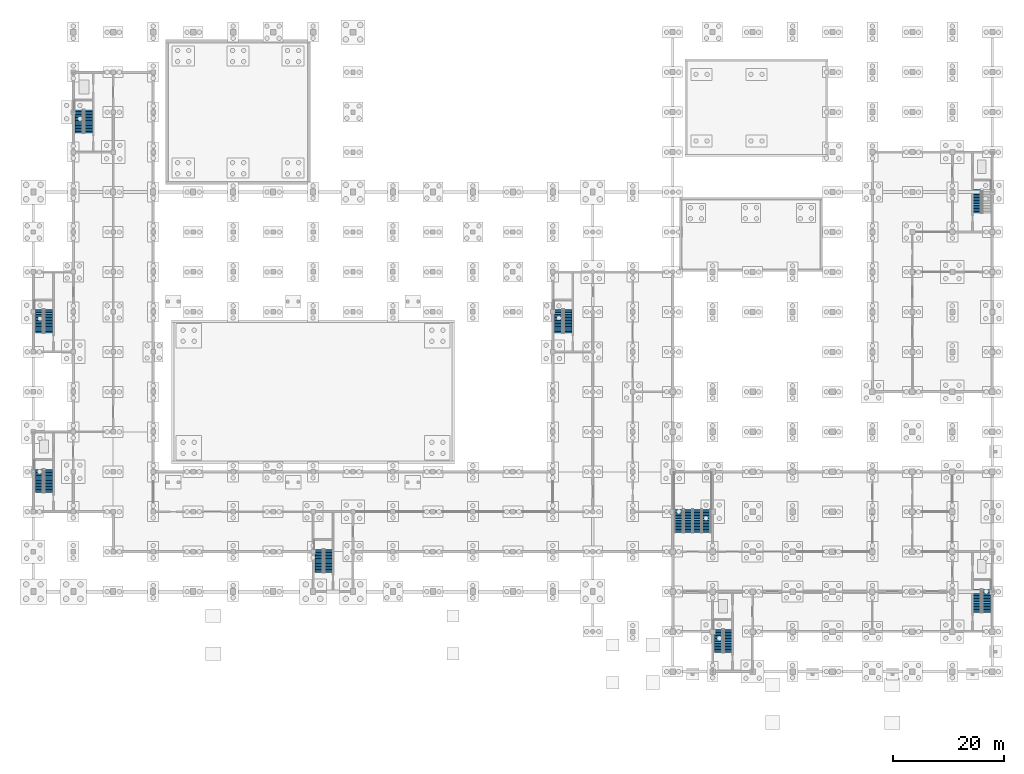
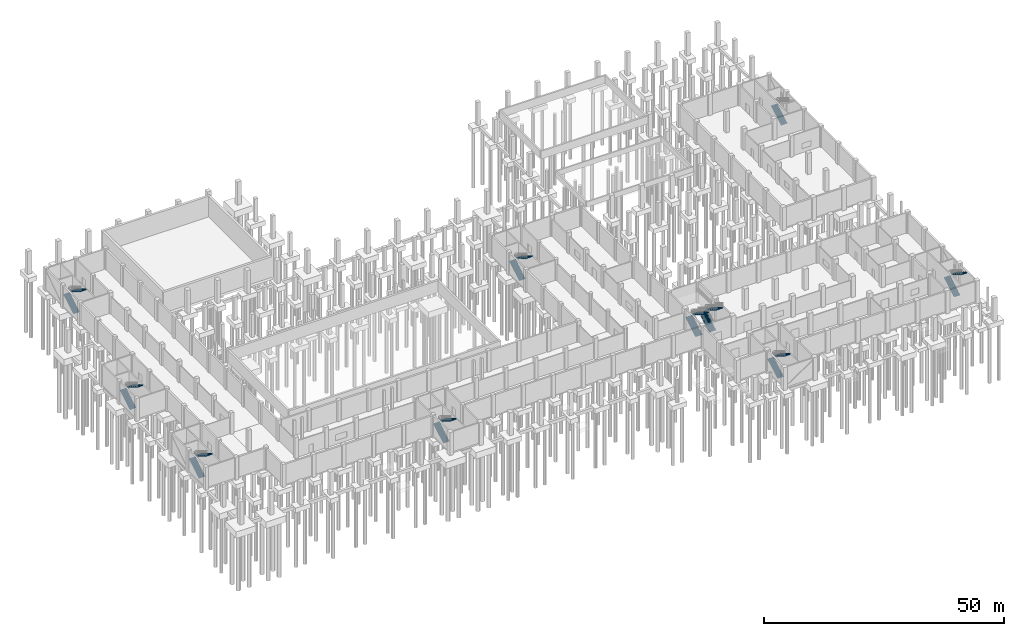
# One storey, part 27 of 35: 19 stair flights, 10 elements without a shape of their own.
"""IFC4 building model written with IfcOpenShell, lengths in metres."""

from ifc_helpers import new_model, si_unit, direction, frame, origin, place, context, subcontext, project, spatial, polyline, outline, extrude, material, type_object, element, aggregate, save


model = new_model("IFC4")

# Units and contexts
model_context = context("Model", 3, precision=1e-05, world=origin(), true_north=direction((0.0, 1.0)))
body_context = subcontext(model_context, "Body", "Model", "MODEL_VIEW")
ifc_project = project(units=[si_unit("LENGTHUNIT", "METRE"), si_unit("AREAUNIT", "SQUARE_METRE"), si_unit("VOLUMEUNIT", "CUBIC_METRE"), si_unit("PLANEANGLEUNIT", "RADIAN"), si_unit("MASSUNIT", "GRAM", prefix="KILO")], contexts=[model_context])

# Site, building, storey
site_placement = place(None, origin())
site = spatial("IfcSite", under=ifc_project, at=site_placement, CompositionType="ELEMENT")
building_placement = place(site_placement, origin())
building = spatial("IfcBuilding", under=site, at=building_placement, Name="Vesperath Aquatics Centre", CompositionType="ELEMENT")
storey_placement = place(building_placement, frame((0.0, 0.0, -5.39990234375)))
storey = spatial("IfcBuildingStorey", under=building, at=storey_placement, Name="B1", CompositionType="ELEMENT", Elevation=-5.39990234375)

# Stair, stair flights
ifc_material = material(Name="Concrete C35", Category="concrete")
stair_type_1 = type_object("IfcStairType", Name="ST-HT54", PredefinedType="HALF_TURN_STAIR", material=ifc_material)
stair_1_placement = place(storey_placement, origin())
stair_1 = element("IfcStair", 1, at=stair_1_placement, inside=storey, type_object=stair_type_1, Name="Enclosed Exit Stair ST1 B1", PredefinedType="HALF_TURN_STAIR")
stair_flight_type_1 = type_object("IfcStairFlightType", Name="SF-F54", PredefinedType="STRAIGHT", material=ifc_material)
stair_flight_1_placement = place(storey_placement, frame((1.070068359375, 32.219970703125, 0.0), z_axis=(0.0, 0.0, 1.0), x_axis=(0.0, 1.0, 0.0)))
stair_flight_1 = element("IfcStairFlight", 2, at=stair_flight_1_placement, type_object=stair_flight_type_1, Name="Stair ST1 Flight 1 B1", NumberOfRisers=16, NumberOfTreads=15, PredefinedType="STRAIGHT", RiserHeight=0.16875, TreadLength=0.28, context=body_context, shape_type="SweptSolid", body=[
    extrude(outline(polyline([(0.0, 0.0), (0.0, 0.168701171875), (0.280029296875, 0.168701171875), (0.280029296875, 0.33740234375), (0.56005859375, 0.33740234375), (0.56005859375, 0.50634765625), (0.840087890625, 0.50634765625), (0.840087890625, 0.675048828125), (1.1201171875, 0.675048828125), (1.1201171875, 0.84375), (1.39990234375, 0.84375), (1.39990234375, 1.012451171875), (1.679931640625, 1.012451171875), (1.679931640625, 1.18115234375), (1.9599609375, 1.18115234375), (1.9599609375, 1.35009765625), (2.239990234375, 1.35009765625), (2.239990234375, 1.518798828125), (2.52001953125, 1.518798828125), (2.52001953125, 1.6875), (2.800048828125, 1.6875), (2.800048828125, 1.856201171875), (3.080078125, 1.856201171875), (3.080078125, 2.02490234375), (3.360107421875, 2.02490234375), (3.360107421875, 2.19384765625), (3.639892578125, 2.19384765625), (3.639892578125, 2.362548828125), (3.919921875, 2.362548828125), (3.919921875, 2.53125), (4.199951171875, 2.53125), (4.199951171875, 2.699951171875), (4.199951171875, 2.3212890625), (0.3486328125, 0.0), (0.0, 0.0)])), frame((0.0, 0.719970703125, 0.0), z_axis=(0.0, -1.0, 0.0), x_axis=(1.0, 0.0, 0.0)), (0.0, 0.0, 1.0), 1.43994140625),
])
stair_flight_2_placement = place(storey_placement, frame((2.75, 36.419921875, 2.699951171875), z_axis=(0.0, 0.0, 1.0), x_axis=(0.0, -1.0, 0.0)))
stair_flight_2 = element("IfcStairFlight", 3, at=stair_flight_2_placement, type_object=stair_flight_type_1, Name="Stair ST1 Flight 2 B1", NumberOfRisers=16, NumberOfTreads=15, PredefinedType="STRAIGHT", RiserHeight=0.16875, TreadLength=0.28, context=body_context, shape_type="SweptSolid", body=[
    extrude(outline(polyline([(0.0, 0.0), (0.0, 0.168701171875), (0.280029296875, 0.168701171875), (0.280029296875, 0.33740234375), (0.56005859375, 0.33740234375), (0.56005859375, 0.50634765625), (0.840087890625, 0.50634765625), (0.840087890625, 0.675048828125), (1.1201171875, 0.675048828125), (1.1201171875, 0.84375), (1.39990234375, 0.84375), (1.39990234375, 1.012451171875), (1.679931640625, 1.012451171875), (1.679931640625, 1.18115234375), (1.9599609375, 1.18115234375), (1.9599609375, 1.35009765625), (2.239990234375, 1.35009765625), (2.239990234375, 1.518798828125), (2.52001953125, 1.518798828125), (2.52001953125, 1.6875), (2.800048828125, 1.6875), (2.800048828125, 1.856201171875), (3.080078125, 1.856201171875), (3.080078125, 2.02490234375), (3.360107421875, 2.02490234375), (3.360107421875, 2.19384765625), (3.639892578125, 2.19384765625), (3.639892578125, 2.362548828125), (3.919921875, 2.362548828125), (3.919921875, 2.53125), (4.199951171875, 2.53125), (4.199951171875, 2.699951171875), (4.199951171875, 2.3212890625), (0.3486328125, 0.0), (0.0, 0.0)])), frame((0.0, 0.719970703125, 0.0), z_axis=(0.0, -1.0, 0.0), x_axis=(1.0, 0.0, 0.0)), (0.0, 0.0, 1.0), 1.43994140625),
])
aggregate(stair_1, [stair_flight_1, stair_flight_2])

stair_2_placement = place(storey_placement, origin())
stair_2 = element("IfcStair", 4, at=stair_2_placement, inside=storey, type_object=stair_type_1, Name="Enclosed Exit Stair ST2 B1", PredefinedType="HALF_TURN_STAIR")
stair_flight_3_placement = place(storey_placement, frame((1.070068359375, 61.02001953125, 0.0), z_axis=(0.0, 0.0, 1.0), x_axis=(0.0, 1.0, 0.0)))
stair_flight_3 = element("IfcStairFlight", 5, at=stair_flight_3_placement, type_object=stair_flight_type_1, Name="Stair ST2 Flight 1 B1", NumberOfRisers=16, NumberOfTreads=15, PredefinedType="STRAIGHT", RiserHeight=0.16875, TreadLength=0.28, context=body_context, shape_type="SweptSolid", body=[
    extrude(outline(polyline([(0.0, 0.0), (0.0, 0.168701171875), (0.280029296875, 0.168701171875), (0.280029296875, 0.33740234375), (0.56005859375, 0.33740234375), (0.56005859375, 0.50634765625), (0.840087890625, 0.50634765625), (0.840087890625, 0.675048828125), (1.1201171875, 0.675048828125), (1.1201171875, 0.84375), (1.39990234375, 0.84375), (1.39990234375, 1.012451171875), (1.679931640625, 1.012451171875), (1.679931640625, 1.18115234375), (1.9599609375, 1.18115234375), (1.9599609375, 1.35009765625), (2.239990234375, 1.35009765625), (2.239990234375, 1.518798828125), (2.52001953125, 1.518798828125), (2.52001953125, 1.6875), (2.800048828125, 1.6875), (2.800048828125, 1.856201171875), (3.080078125, 1.856201171875), (3.080078125, 2.02490234375), (3.360107421875, 2.02490234375), (3.360107421875, 2.19384765625), (3.639892578125, 2.19384765625), (3.639892578125, 2.362548828125), (3.919921875, 2.362548828125), (3.919921875, 2.53125), (4.199951171875, 2.53125), (4.199951171875, 2.699951171875), (4.199951171875, 2.3212890625), (0.3486328125, 0.0), (0.0, 0.0)])), frame((0.0, 0.719970703125, 0.0), z_axis=(0.0, -1.0, 0.0), x_axis=(1.0, 0.0, 0.0)), (0.0, 0.0, 1.0), 1.43994140625),
])
stair_flight_4_placement = place(storey_placement, frame((2.75, 65.219970703125, 2.699951171875), z_axis=(0.0, 0.0, 1.0), x_axis=(0.0, -1.0, 0.0)))
stair_flight_4 = element("IfcStairFlight", 6, at=stair_flight_4_placement, type_object=stair_flight_type_1, Name="Stair ST2 Flight 2 B1", NumberOfRisers=16, NumberOfTreads=15, PredefinedType="STRAIGHT", RiserHeight=0.16875, TreadLength=0.28, context=body_context, shape_type="SweptSolid", body=[
    extrude(outline(polyline([(0.0, 0.0), (0.0, 0.168701171875), (0.280029296875, 0.168701171875), (0.280029296875, 0.33740234375), (0.56005859375, 0.33740234375), (0.56005859375, 0.50634765625), (0.840087890625, 0.50634765625), (0.840087890625, 0.675048828125), (1.1201171875, 0.675048828125), (1.1201171875, 0.84375), (1.39990234375, 0.84375), (1.39990234375, 1.012451171875), (1.679931640625, 1.012451171875), (1.679931640625, 1.18115234375), (1.9599609375, 1.18115234375), (1.9599609375, 1.35009765625), (2.239990234375, 1.35009765625), (2.239990234375, 1.518798828125), (2.52001953125, 1.518798828125), (2.52001953125, 1.6875), (2.800048828125, 1.6875), (2.800048828125, 1.856201171875), (3.080078125, 1.856201171875), (3.080078125, 2.02490234375), (3.360107421875, 2.02490234375), (3.360107421875, 2.19384765625), (3.639892578125, 2.19384765625), (3.639892578125, 2.362548828125), (3.919921875, 2.362548828125), (3.919921875, 2.53125), (4.199951171875, 2.53125), (4.199951171875, 2.699951171875), (4.199951171875, 2.3212890625), (0.3486328125, 0.0), (0.0, 0.0)])), frame((0.0, 0.719970703125, 0.0), z_axis=(0.0, -1.0, 0.0), x_axis=(1.0, 0.0, 0.0)), (0.0, 0.0, 1.0), 1.43994140625),
])
aggregate(stair_2, [stair_flight_3, stair_flight_4])

stair_3_placement = place(storey_placement, origin())
stair_3 = element("IfcStair", 7, at=stair_3_placement, inside=storey, type_object=stair_type_1, Name="Enclosed Exit Stair ST8 B1", PredefinedType="HALF_TURN_STAIR")
stair_flight_5_placement = place(storey_placement, frame((94.669921875, 61.02001953125, 0.0), z_axis=(0.0, 0.0, 1.0), x_axis=(0.0, 1.0, 0.0)))
stair_flight_5 = element("IfcStairFlight", 8, at=stair_flight_5_placement, type_object=stair_flight_type_1, Name="Stair ST8 Flight 1 B1", NumberOfRisers=16, NumberOfTreads=15, PredefinedType="STRAIGHT", RiserHeight=0.16875, TreadLength=0.28, context=body_context, shape_type="SweptSolid", body=[
    extrude(outline(polyline([(0.0, 0.0), (0.0, 0.168701171875), (0.280029296875, 0.168701171875), (0.280029296875, 0.33740234375), (0.56005859375, 0.33740234375), (0.56005859375, 0.50634765625), (0.840087890625, 0.50634765625), (0.840087890625, 0.675048828125), (1.1201171875, 0.675048828125), (1.1201171875, 0.84375), (1.39990234375, 0.84375), (1.39990234375, 1.012451171875), (1.679931640625, 1.012451171875), (1.679931640625, 1.18115234375), (1.9599609375, 1.18115234375), (1.9599609375, 1.35009765625), (2.239990234375, 1.35009765625), (2.239990234375, 1.518798828125), (2.52001953125, 1.518798828125), (2.52001953125, 1.6875), (2.800048828125, 1.6875), (2.800048828125, 1.856201171875), (3.080078125, 1.856201171875), (3.080078125, 2.02490234375), (3.360107421875, 2.02490234375), (3.360107421875, 2.19384765625), (3.639892578125, 2.19384765625), (3.639892578125, 2.362548828125), (3.919921875, 2.362548828125), (3.919921875, 2.53125), (4.199951171875, 2.53125), (4.199951171875, 2.699951171875), (4.199951171875, 2.3212890625), (0.3486328125, 0.0), (0.0, 0.0)])), frame((0.0, 0.719970703125, 0.0), z_axis=(0.0, -1.0, 0.0), x_axis=(1.0, 0.0, 0.0)), (0.0, 0.0, 1.0), 1.43994140625),
])
stair_flight_6_placement = place(storey_placement, frame((96.35009765625, 65.219970703125, 2.699951171875), z_axis=(0.0, 0.0, 1.0), x_axis=(0.0, -1.0, 0.0)))
stair_flight_6 = element("IfcStairFlight", 9, at=stair_flight_6_placement, type_object=stair_flight_type_1, Name="Stair ST8 Flight 2 B1", NumberOfRisers=16, NumberOfTreads=15, PredefinedType="STRAIGHT", RiserHeight=0.16875, TreadLength=0.28, context=body_context, shape_type="SweptSolid", body=[
    extrude(outline(polyline([(0.0, 0.0), (0.0, 0.168701171875), (0.280029296875, 0.168701171875), (0.280029296875, 0.33740234375), (0.56005859375, 0.33740234375), (0.56005859375, 0.50634765625), (0.840087890625, 0.50634765625), (0.840087890625, 0.675048828125), (1.1201171875, 0.675048828125), (1.1201171875, 0.84375), (1.39990234375, 0.84375), (1.39990234375, 1.012451171875), (1.679931640625, 1.012451171875), (1.679931640625, 1.18115234375), (1.9599609375, 1.18115234375), (1.9599609375, 1.35009765625), (2.239990234375, 1.35009765625), (2.239990234375, 1.518798828125), (2.52001953125, 1.518798828125), (2.52001953125, 1.6875), (2.800048828125, 1.6875), (2.800048828125, 1.856201171875), (3.080078125, 1.856201171875), (3.080078125, 2.02490234375), (3.360107421875, 2.02490234375), (3.360107421875, 2.19384765625), (3.639892578125, 2.19384765625), (3.639892578125, 2.362548828125), (3.919921875, 2.362548828125), (3.919921875, 2.53125), (4.199951171875, 2.53125), (4.199951171875, 2.699951171875), (4.199951171875, 2.3212890625), (0.3486328125, 0.0), (0.0, 0.0)])), frame((0.0, 0.719970703125, 0.0), z_axis=(0.0, -1.0, 0.0), x_axis=(1.0, 0.0, 0.0)), (0.0, 0.0, 1.0), 1.43994140625),
])
aggregate(stair_3, [stair_flight_5, stair_flight_6])

stair_4_placement = place(storey_placement, origin())
stair_4 = element("IfcStair", 10, at=stair_4_placement, inside=storey, type_object=stair_type_1, Name="Enclosed Exit Stair ST9 B1", PredefinedType="HALF_TURN_STAIR")
stair_flight_7_placement = place(storey_placement, frame((51.469970703125, 17.820068359375, 0.0), z_axis=(0.0, 0.0, 1.0), x_axis=(0.0, 1.0, 0.0)))
stair_flight_7 = element("IfcStairFlight", 11, at=stair_flight_7_placement, type_object=stair_flight_type_1, Name="Stair ST9 Flight 1 B1", NumberOfRisers=16, NumberOfTreads=15, PredefinedType="STRAIGHT", RiserHeight=0.16875, TreadLength=0.28, context=body_context, shape_type="SweptSolid", body=[
    extrude(outline(polyline([(0.0, 0.0), (0.0, 0.168701171875), (0.280029296875, 0.168701171875), (0.280029296875, 0.33740234375), (0.56005859375, 0.33740234375), (0.56005859375, 0.50634765625), (0.840087890625, 0.50634765625), (0.840087890625, 0.675048828125), (1.1201171875, 0.675048828125), (1.1201171875, 0.84375), (1.39990234375, 0.84375), (1.39990234375, 1.012451171875), (1.679931640625, 1.012451171875), (1.679931640625, 1.18115234375), (1.9599609375, 1.18115234375), (1.9599609375, 1.35009765625), (2.239990234375, 1.35009765625), (2.239990234375, 1.518798828125), (2.52001953125, 1.518798828125), (2.52001953125, 1.6875), (2.800048828125, 1.6875), (2.800048828125, 1.856201171875), (3.080078125, 1.856201171875), (3.080078125, 2.02490234375), (3.360107421875, 2.02490234375), (3.360107421875, 2.19384765625), (3.639892578125, 2.19384765625), (3.639892578125, 2.362548828125), (3.919921875, 2.362548828125), (3.919921875, 2.53125), (4.199951171875, 2.53125), (4.199951171875, 2.699951171875), (4.199951171875, 2.3212890625), (0.3486328125, 0.0), (0.0, 0.0)])), frame((0.0, 0.719970703125, 0.0), z_axis=(0.0, -1.0, 0.0), x_axis=(1.0, 0.0, 0.0)), (0.0, 0.0, 1.0), 1.43994140625),
])
stair_flight_8_placement = place(storey_placement, frame((53.14990234375, 22.02001953125, 2.699951171875), z_axis=(0.0, 0.0, 1.0), x_axis=(0.0, -1.0, 0.0)))
stair_flight_8 = element("IfcStairFlight", 12, at=stair_flight_8_placement, type_object=stair_flight_type_1, Name="Stair ST9 Flight 2 B1", NumberOfRisers=16, NumberOfTreads=15, PredefinedType="STRAIGHT", RiserHeight=0.16875, TreadLength=0.28, context=body_context, shape_type="SweptSolid", body=[
    extrude(outline(polyline([(0.0, 0.0), (0.0, 0.168701171875), (0.280029296875, 0.168701171875), (0.280029296875, 0.33740234375), (0.56005859375, 0.33740234375), (0.56005859375, 0.50634765625), (0.840087890625, 0.50634765625), (0.840087890625, 0.675048828125), (1.1201171875, 0.675048828125), (1.1201171875, 0.84375), (1.39990234375, 0.84375), (1.39990234375, 1.012451171875), (1.679931640625, 1.012451171875), (1.679931640625, 1.18115234375), (1.9599609375, 1.18115234375), (1.9599609375, 1.35009765625), (2.239990234375, 1.35009765625), (2.239990234375, 1.518798828125), (2.52001953125, 1.518798828125), (2.52001953125, 1.6875), (2.800048828125, 1.6875), (2.800048828125, 1.856201171875), (3.080078125, 1.856201171875), (3.080078125, 2.02490234375), (3.360107421875, 2.02490234375), (3.360107421875, 2.19384765625), (3.639892578125, 2.19384765625), (3.639892578125, 2.362548828125), (3.919921875, 2.362548828125), (3.919921875, 2.53125), (4.199951171875, 2.53125), (4.199951171875, 2.699951171875), (4.199951171875, 2.3212890625), (0.3486328125, 0.0), (0.0, 0.0)])), frame((0.0, 0.719970703125, 0.0), z_axis=(0.0, -1.0, 0.0), x_axis=(1.0, 0.0, 0.0)), (0.0, 0.0, 1.0), 1.43994140625),
])
aggregate(stair_4, [stair_flight_7, stair_flight_8])

stair_5_placement = place(storey_placement, origin())
stair_5 = element("IfcStair", 13, at=stair_5_placement, inside=storey, type_object=stair_type_1, Name="Enclosed Exit Stair ST3 B1", PredefinedType="HALF_TURN_STAIR")
stair_flight_9_placement = place(storey_placement, frame((8.27001953125, 97.02001953125, 0.0), z_axis=(0.0, 0.0, 1.0), x_axis=(0.0, 1.0, 0.0)))
stair_flight_9 = element("IfcStairFlight", 14, at=stair_flight_9_placement, type_object=stair_flight_type_1, Name="Stair ST3 Flight 1 B1", NumberOfRisers=16, NumberOfTreads=15, PredefinedType="STRAIGHT", RiserHeight=0.16875, TreadLength=0.28, context=body_context, shape_type="SweptSolid", body=[
    extrude(outline(polyline([(0.0, 0.0), (0.0, 0.168701171875), (0.280029296875, 0.168701171875), (0.280029296875, 0.33740234375), (0.56005859375, 0.33740234375), (0.56005859375, 0.50634765625), (0.840087890625, 0.50634765625), (0.840087890625, 0.675048828125), (1.1201171875, 0.675048828125), (1.1201171875, 0.84375), (1.39990234375, 0.84375), (1.39990234375, 1.012451171875), (1.679931640625, 1.012451171875), (1.679931640625, 1.18115234375), (1.9599609375, 1.18115234375), (1.9599609375, 1.35009765625), (2.239990234375, 1.35009765625), (2.239990234375, 1.518798828125), (2.52001953125, 1.518798828125), (2.52001953125, 1.6875), (2.800048828125, 1.6875), (2.800048828125, 1.856201171875), (3.080078125, 1.856201171875), (3.080078125, 2.02490234375), (3.360107421875, 2.02490234375), (3.360107421875, 2.19384765625), (3.639892578125, 2.19384765625), (3.639892578125, 2.362548828125), (3.919921875, 2.362548828125), (3.919921875, 2.53125), (4.199951171875, 2.53125), (4.199951171875, 2.699951171875), (4.199951171875, 2.3212890625), (0.3486328125, 0.0), (0.0, 0.0)])), frame((0.0, 0.719970703125, 0.0), z_axis=(0.0, -1.0, 0.0), x_axis=(1.0, 0.0, 0.0)), (0.0, 0.0, 1.0), 1.43994140625),
])
stair_flight_10_placement = place(storey_placement, frame((9.949951171875, 101.219970703125, 2.699951171875), z_axis=(0.0, 0.0, 1.0), x_axis=(0.0, -1.0, 0.0)))
stair_flight_10 = element("IfcStairFlight", 15, at=stair_flight_10_placement, type_object=stair_flight_type_1, Name="Stair ST3 Flight 2 B1", NumberOfRisers=16, NumberOfTreads=15, PredefinedType="STRAIGHT", RiserHeight=0.16875, TreadLength=0.28, context=body_context, shape_type="SweptSolid", body=[
    extrude(outline(polyline([(0.0, 0.0), (0.0, 0.168701171875), (0.280029296875, 0.168701171875), (0.280029296875, 0.33740234375), (0.56005859375, 0.33740234375), (0.56005859375, 0.50634765625), (0.840087890625, 0.50634765625), (0.840087890625, 0.675048828125), (1.1201171875, 0.675048828125), (1.1201171875, 0.84375), (1.39990234375, 0.84375), (1.39990234375, 1.012451171875), (1.679931640625, 1.012451171875), (1.679931640625, 1.18115234375), (1.9599609375, 1.18115234375), (1.9599609375, 1.35009765625), (2.239990234375, 1.35009765625), (2.239990234375, 1.518798828125), (2.52001953125, 1.518798828125), (2.52001953125, 1.6875), (2.800048828125, 1.6875), (2.800048828125, 1.856201171875), (3.080078125, 1.856201171875), (3.080078125, 2.02490234375), (3.360107421875, 2.02490234375), (3.360107421875, 2.19384765625), (3.639892578125, 2.19384765625), (3.639892578125, 2.362548828125), (3.919921875, 2.362548828125), (3.919921875, 2.53125), (4.199951171875, 2.53125), (4.199951171875, 2.699951171875), (4.199951171875, 2.3212890625), (0.3486328125, 0.0), (0.0, 0.0)])), frame((0.0, 0.719970703125, 0.0), z_axis=(0.0, -1.0, 0.0), x_axis=(1.0, 0.0, 0.0)), (0.0, 0.0, 1.0), 1.43994140625),
])
aggregate(stair_5, [stair_flight_9, stair_flight_10])

# Stair, stair flight
stair_6_placement = place(storey_placement, origin())
stair_6 = element("IfcStair", 16, at=stair_6_placement, inside=storey, type_object=stair_type_1, Name="Enclosed Exit Stair ST4 B1", PredefinedType="HALF_TURN_STAIR")
stair_flight_11_placement = place(storey_placement, frame((170.070068359375, 82.6201171875, 0.0), z_axis=(0.0, 0.0, 1.0), x_axis=(0.0, 1.0, 0.0)))
stair_flight_11 = element("IfcStairFlight", 17, at=stair_flight_11_placement, type_object=stair_flight_type_1, Name="Stair ST4 Flight 1 B1", NumberOfRisers=16, NumberOfTreads=15, PredefinedType="STRAIGHT", RiserHeight=0.16875, TreadLength=0.28, context=body_context, shape_type="SweptSolid", body=[
    extrude(outline(polyline([(0.0, 0.0), (0.0, 0.168701171875), (0.280029296875, 0.168701171875), (0.280029296875, 0.33740234375), (0.56005859375, 0.33740234375), (0.56005859375, 0.50634765625), (0.840087890625, 0.50634765625), (0.840087890625, 0.675048828125), (1.1201171875, 0.675048828125), (1.1201171875, 0.84375), (1.39990234375, 0.84375), (1.39990234375, 1.012451171875), (1.679931640625, 1.012451171875), (1.679931640625, 1.18115234375), (1.9599609375, 1.18115234375), (1.9599609375, 1.35009765625), (2.239990234375, 1.35009765625), (2.239990234375, 1.518798828125), (2.52001953125, 1.518798828125), (2.52001953125, 1.6875), (2.800048828125, 1.6875), (2.800048828125, 1.856201171875), (3.080078125, 1.856201171875), (3.080078125, 2.02490234375), (3.360107421875, 2.02490234375), (3.360107421875, 2.19384765625), (3.639892578125, 2.19384765625), (3.639892578125, 2.362548828125), (3.919921875, 2.362548828125), (3.919921875, 2.53125), (4.199951171875, 2.53125), (4.199951171875, 2.699951171875), (4.199951171875, 2.3212890625), (0.3486328125, 0.0), (0.0, 0.0)])), frame((0.0, 0.719970703125, 0.0), z_axis=(0.0, -1.0, 0.0), x_axis=(1.0, 0.0, 0.0)), (0.0, 0.0, 1.0), 1.43994140625),
])
aggregate(stair_6, [stair_flight_11])

# Stair, stair flights
stair_7_placement = place(storey_placement, origin())
stair_7 = element("IfcStair", 18, at=stair_7_placement, inside=storey, type_object=stair_type_1, Name="Enclosed Exit Stair ST5 B1", PredefinedType="HALF_TURN_STAIR")
stair_flight_12_placement = place(storey_placement, frame((123.469970703125, 3.419921875, 0.0), z_axis=(0.0, 0.0, 1.0), x_axis=(0.0, 1.0, 0.0)))
stair_flight_12 = element("IfcStairFlight", 19, at=stair_flight_12_placement, type_object=stair_flight_type_1, Name="Stair ST5 Flight 1 B1", NumberOfRisers=16, NumberOfTreads=15, PredefinedType="STRAIGHT", RiserHeight=0.16875, TreadLength=0.28, context=body_context, shape_type="SweptSolid", body=[
    extrude(outline(polyline([(0.0, 0.0), (0.0, 0.168701171875), (0.280029296875, 0.168701171875), (0.280029296875, 0.33740234375), (0.56005859375, 0.33740234375), (0.56005859375, 0.50634765625), (0.840087890625, 0.50634765625), (0.840087890625, 0.675048828125), (1.1201171875, 0.675048828125), (1.1201171875, 0.84375), (1.39990234375, 0.84375), (1.39990234375, 1.012451171875), (1.679931640625, 1.012451171875), (1.679931640625, 1.18115234375), (1.9599609375, 1.18115234375), (1.9599609375, 1.35009765625), (2.239990234375, 1.35009765625), (2.239990234375, 1.518798828125), (2.52001953125, 1.518798828125), (2.52001953125, 1.6875), (2.800048828125, 1.6875), (2.800048828125, 1.856201171875), (3.080078125, 1.856201171875), (3.080078125, 2.02490234375), (3.360107421875, 2.02490234375), (3.360107421875, 2.19384765625), (3.639892578125, 2.19384765625), (3.639892578125, 2.362548828125), (3.919921875, 2.362548828125), (3.919921875, 2.53125), (4.199951171875, 2.53125), (4.199951171875, 2.699951171875), (4.199951171875, 2.3212890625), (0.3486328125, 0.0), (0.0, 0.0)])), frame((0.0, 0.719970703125, 0.0), z_axis=(0.0, -1.0, 0.0), x_axis=(1.0, 0.0, 0.0)), (0.0, 0.0, 1.0), 1.43994140625),
])
stair_flight_13_placement = place(storey_placement, frame((125.14990234375, 7.6201171875, 2.699951171875), z_axis=(0.0, 0.0, 1.0), x_axis=(0.0, -1.0, 0.0)))
stair_flight_13 = element("IfcStairFlight", 20, at=stair_flight_13_placement, type_object=stair_flight_type_1, Name="Stair ST5 Flight 2 B1", NumberOfRisers=16, NumberOfTreads=15, PredefinedType="STRAIGHT", RiserHeight=0.16875, TreadLength=0.28, context=body_context, shape_type="SweptSolid", body=[
    extrude(outline(polyline([(0.0, 0.0), (0.0, 0.168701171875), (0.280029296875, 0.168701171875), (0.280029296875, 0.33740234375), (0.56005859375, 0.33740234375), (0.56005859375, 0.50634765625), (0.840087890625, 0.50634765625), (0.840087890625, 0.675048828125), (1.1201171875, 0.675048828125), (1.1201171875, 0.84375), (1.39990234375, 0.84375), (1.39990234375, 1.012451171875), (1.679931640625, 1.012451171875), (1.679931640625, 1.18115234375), (1.9599609375, 1.18115234375), (1.9599609375, 1.35009765625), (2.239990234375, 1.35009765625), (2.239990234375, 1.518798828125), (2.52001953125, 1.518798828125), (2.52001953125, 1.6875), (2.800048828125, 1.6875), (2.800048828125, 1.856201171875), (3.080078125, 1.856201171875), (3.080078125, 2.02490234375), (3.360107421875, 2.02490234375), (3.360107421875, 2.19384765625), (3.639892578125, 2.19384765625), (3.639892578125, 2.362548828125), (3.919921875, 2.362548828125), (3.919921875, 2.53125), (4.199951171875, 2.53125), (4.199951171875, 2.699951171875), (4.199951171875, 2.3212890625), (0.3486328125, 0.0), (0.0, 0.0)])), frame((0.0, 0.719970703125, 0.0), z_axis=(0.0, -1.0, 0.0), x_axis=(1.0, 0.0, 0.0)), (0.0, 0.0, 1.0), 1.43994140625),
])
aggregate(stair_7, [stair_flight_12, stair_flight_13])

stair_8_placement = place(storey_placement, origin())
stair_8 = element("IfcStair", 21, at=stair_8_placement, inside=storey, type_object=stair_type_1, Name="Enclosed Exit Stair ST6 B1", PredefinedType="HALF_TURN_STAIR")
stair_flight_14_placement = place(storey_placement, frame((170.070068359375, 10.6201171875, 0.0), z_axis=(0.0, 0.0, 1.0), x_axis=(0.0, 1.0, 0.0)))
stair_flight_14 = element("IfcStairFlight", 22, at=stair_flight_14_placement, type_object=stair_flight_type_1, Name="Stair ST6 Flight 1 B1", NumberOfRisers=16, NumberOfTreads=15, PredefinedType="STRAIGHT", RiserHeight=0.16875, TreadLength=0.28, context=body_context, shape_type="SweptSolid", body=[
    extrude(outline(polyline([(0.0, 0.0), (0.0, 0.168701171875), (0.280029296875, 0.168701171875), (0.280029296875, 0.33740234375), (0.56005859375, 0.33740234375), (0.56005859375, 0.50634765625), (0.840087890625, 0.50634765625), (0.840087890625, 0.675048828125), (1.1201171875, 0.675048828125), (1.1201171875, 0.84375), (1.39990234375, 0.84375), (1.39990234375, 1.012451171875), (1.679931640625, 1.012451171875), (1.679931640625, 1.18115234375), (1.9599609375, 1.18115234375), (1.9599609375, 1.35009765625), (2.239990234375, 1.35009765625), (2.239990234375, 1.518798828125), (2.52001953125, 1.518798828125), (2.52001953125, 1.6875), (2.800048828125, 1.6875), (2.800048828125, 1.856201171875), (3.080078125, 1.856201171875), (3.080078125, 2.02490234375), (3.360107421875, 2.02490234375), (3.360107421875, 2.19384765625), (3.639892578125, 2.19384765625), (3.639892578125, 2.362548828125), (3.919921875, 2.362548828125), (3.919921875, 2.53125), (4.199951171875, 2.53125), (4.199951171875, 2.699951171875), (4.199951171875, 2.3212890625), (0.3486328125, 0.0), (0.0, 0.0)])), frame((0.0, 0.719970703125, 0.0), z_axis=(0.0, -1.0, 0.0), x_axis=(1.0, 0.0, 0.0)), (0.0, 0.0, 1.0), 1.43994140625),
])
stair_flight_15_placement = place(storey_placement, frame((171.75, 14.820068359375, 2.699951171875), z_axis=(0.0, 0.0, 1.0), x_axis=(0.0, -1.0, 0.0)))
stair_flight_15 = element("IfcStairFlight", 23, at=stair_flight_15_placement, type_object=stair_flight_type_1, Name="Stair ST6 Flight 2 B1", NumberOfRisers=16, NumberOfTreads=15, PredefinedType="STRAIGHT", RiserHeight=0.16875, TreadLength=0.28, context=body_context, shape_type="SweptSolid", body=[
    extrude(outline(polyline([(0.0, 0.0), (0.0, 0.168701171875), (0.280029296875, 0.168701171875), (0.280029296875, 0.33740234375), (0.56005859375, 0.33740234375), (0.56005859375, 0.50634765625), (0.840087890625, 0.50634765625), (0.840087890625, 0.675048828125), (1.1201171875, 0.675048828125), (1.1201171875, 0.84375), (1.39990234375, 0.84375), (1.39990234375, 1.012451171875), (1.679931640625, 1.012451171875), (1.679931640625, 1.18115234375), (1.9599609375, 1.18115234375), (1.9599609375, 1.35009765625), (2.239990234375, 1.35009765625), (2.239990234375, 1.518798828125), (2.52001953125, 1.518798828125), (2.52001953125, 1.6875), (2.800048828125, 1.6875), (2.800048828125, 1.856201171875), (3.080078125, 1.856201171875), (3.080078125, 2.02490234375), (3.360107421875, 2.02490234375), (3.360107421875, 2.19384765625), (3.639892578125, 2.19384765625), (3.639892578125, 2.362548828125), (3.919921875, 2.362548828125), (3.919921875, 2.53125), (4.199951171875, 2.53125), (4.199951171875, 2.699951171875), (4.199951171875, 2.3212890625), (0.3486328125, 0.0), (0.0, 0.0)])), frame((0.0, 0.719970703125, 0.0), z_axis=(0.0, -1.0, 0.0), x_axis=(1.0, 0.0, 0.0)), (0.0, 0.0, 1.0), 1.43994140625),
])
aggregate(stair_8, [stair_flight_14, stair_flight_15])

stair_type_2 = type_object("IfcStairType", Name="ST-HW54", PredefinedType="HALF_TURN_STAIR", material=ifc_material)
stair_9_placement = place(storey_placement, origin())
stair_9 = element("IfcStair", 24, at=stair_9_placement, inside=storey, type_object=stair_type_2, Name="Enclosed Exit Stair ST7A B1", PredefinedType="HALF_TURN_STAIR")
stair_flight_type_2 = type_object("IfcStairFlightType", Name="SF-W54", PredefinedType="STRAIGHT", material=ifc_material)
stair_flight_16_placement = place(storey_placement, frame((116.324951171875, 25.02001953125, 0.0), z_axis=(0.0, 0.0, 1.0), x_axis=(0.0, 1.0, 0.0)))
stair_flight_16 = element("IfcStairFlight", 25, at=stair_flight_16_placement, type_object=stair_flight_type_2, Name="Stair ST7A Flight 1 B1", NumberOfRisers=16, NumberOfTreads=15, PredefinedType="STRAIGHT", RiserHeight=0.16875, TreadLength=0.28, context=body_context, shape_type="SweptSolid", body=[
    extrude(outline(polyline([(0.0, 0.0), (0.0, 0.168701171875), (0.280029296875, 0.168701171875), (0.280029296875, 0.33740234375), (0.56005859375, 0.33740234375), (0.56005859375, 0.50634765625), (0.840087890625, 0.50634765625), (0.840087890625, 0.675048828125), (1.1201171875, 0.675048828125), (1.1201171875, 0.84375), (1.39990234375, 0.84375), (1.39990234375, 1.012451171875), (1.679931640625, 1.012451171875), (1.679931640625, 1.18115234375), (1.9599609375, 1.18115234375), (1.9599609375, 1.35009765625), (2.239990234375, 1.35009765625), (2.239990234375, 1.518798828125), (2.52001953125, 1.518798828125), (2.52001953125, 1.6875), (2.800048828125, 1.6875), (2.800048828125, 1.856201171875), (3.080078125, 1.856201171875), (3.080078125, 2.02490234375), (3.360107421875, 2.02490234375), (3.360107421875, 2.19384765625), (3.639892578125, 2.19384765625), (3.639892578125, 2.362548828125), (3.919921875, 2.362548828125), (3.919921875, 2.53125), (4.199951171875, 2.53125), (4.199951171875, 2.699951171875), (4.199951171875, 2.3212890625), (0.3486328125, 0.0), (0.0, 0.0)])), frame((0.0, 0.78515625, 0.0), z_axis=(0.0, -1.0, 0.0), x_axis=(1.0, 0.0, 0.0)), (0.0, 0.0, 1.0), 1.570068359375),
])
stair_flight_17_placement = place(storey_placement, frame((117.97509765625, 29.219970703125, 2.699951171875), z_axis=(0.0, 0.0, 1.0), x_axis=(0.0, -1.0, 0.0)))
stair_flight_17 = element("IfcStairFlight", 26, at=stair_flight_17_placement, type_object=stair_flight_type_2, Name="Stair ST7A Flight 2 B1", NumberOfRisers=16, NumberOfTreads=15, PredefinedType="STRAIGHT", RiserHeight=0.16875, TreadLength=0.28, context=body_context, shape_type="SweptSolid", body=[
    extrude(outline(polyline([(0.0, 0.0), (0.0, 0.168701171875), (0.280029296875, 0.168701171875), (0.280029296875, 0.33740234375), (0.56005859375, 0.33740234375), (0.56005859375, 0.50634765625), (0.840087890625, 0.50634765625), (0.840087890625, 0.675048828125), (1.1201171875, 0.675048828125), (1.1201171875, 0.84375), (1.39990234375, 0.84375), (1.39990234375, 1.012451171875), (1.679931640625, 1.012451171875), (1.679931640625, 1.18115234375), (1.9599609375, 1.18115234375), (1.9599609375, 1.35009765625), (2.239990234375, 1.35009765625), (2.239990234375, 1.518798828125), (2.52001953125, 1.518798828125), (2.52001953125, 1.6875), (2.800048828125, 1.6875), (2.800048828125, 1.856201171875), (3.080078125, 1.856201171875), (3.080078125, 2.02490234375), (3.360107421875, 2.02490234375), (3.360107421875, 2.19384765625), (3.639892578125, 2.19384765625), (3.639892578125, 2.362548828125), (3.919921875, 2.362548828125), (3.919921875, 2.53125), (4.199951171875, 2.53125), (4.199951171875, 2.699951171875), (4.199951171875, 2.3212890625), (0.3486328125, 0.0), (0.0, 0.0)])), frame((0.0, 0.78515625, 0.0), z_axis=(0.0, -1.0, 0.0), x_axis=(1.0, 0.0, 0.0)), (0.0, 0.0, 1.0), 1.570068359375),
])
aggregate(stair_9, [stair_flight_16, stair_flight_17])

stair_10_placement = place(storey_placement, origin())
stair_10 = element("IfcStair", 27, at=stair_10_placement, inside=storey, type_object=stair_type_2, Name="Enclosed Exit Stair ST7B B1", PredefinedType="HALF_TURN_STAIR")
stair_flight_18_placement = place(storey_placement, frame((119.625, 25.02001953125, 0.0), z_axis=(0.0, 0.0, 1.0), x_axis=(0.0, 1.0, 0.0)))
stair_flight_18 = element("IfcStairFlight", 28, at=stair_flight_18_placement, type_object=stair_flight_type_2, Name="Stair ST7B Flight 1 B1", NumberOfRisers=16, NumberOfTreads=15, PredefinedType="STRAIGHT", RiserHeight=0.16875, TreadLength=0.28, context=body_context, shape_type="SweptSolid", body=[
    extrude(outline(polyline([(0.0, 0.0), (0.0, 0.168701171875), (0.280029296875, 0.168701171875), (0.280029296875, 0.33740234375), (0.56005859375, 0.33740234375), (0.56005859375, 0.50634765625), (0.840087890625, 0.50634765625), (0.840087890625, 0.675048828125), (1.1201171875, 0.675048828125), (1.1201171875, 0.84375), (1.39990234375, 0.84375), (1.39990234375, 1.012451171875), (1.679931640625, 1.012451171875), (1.679931640625, 1.18115234375), (1.9599609375, 1.18115234375), (1.9599609375, 1.35009765625), (2.239990234375, 1.35009765625), (2.239990234375, 1.518798828125), (2.52001953125, 1.518798828125), (2.52001953125, 1.6875), (2.800048828125, 1.6875), (2.800048828125, 1.856201171875), (3.080078125, 1.856201171875), (3.080078125, 2.02490234375), (3.360107421875, 2.02490234375), (3.360107421875, 2.19384765625), (3.639892578125, 2.19384765625), (3.639892578125, 2.362548828125), (3.919921875, 2.362548828125), (3.919921875, 2.53125), (4.199951171875, 2.53125), (4.199951171875, 2.699951171875), (4.199951171875, 2.3212890625), (0.3486328125, 0.0), (0.0, 0.0)])), frame((0.0, 0.78515625, 0.0), z_axis=(0.0, -1.0, 0.0), x_axis=(1.0, 0.0, 0.0)), (0.0, 0.0, 1.0), 1.570068359375),
])
stair_flight_19_placement = place(storey_placement, frame((121.27490234375, 29.219970703125, 2.699951171875), z_axis=(0.0, 0.0, 1.0), x_axis=(0.0, -1.0, 0.0)))
stair_flight_19 = element("IfcStairFlight", 29, at=stair_flight_19_placement, type_object=stair_flight_type_2, Name="Stair ST7B Flight 2 B1", NumberOfRisers=16, NumberOfTreads=15, PredefinedType="STRAIGHT", RiserHeight=0.16875, TreadLength=0.28, context=body_context, shape_type="SweptSolid", body=[
    extrude(outline(polyline([(0.0, 0.0), (0.0, 0.168701171875), (0.280029296875, 0.168701171875), (0.280029296875, 0.33740234375), (0.56005859375, 0.33740234375), (0.56005859375, 0.50634765625), (0.840087890625, 0.50634765625), (0.840087890625, 0.675048828125), (1.1201171875, 0.675048828125), (1.1201171875, 0.84375), (1.39990234375, 0.84375), (1.39990234375, 1.012451171875), (1.679931640625, 1.012451171875), (1.679931640625, 1.18115234375), (1.9599609375, 1.18115234375), (1.9599609375, 1.35009765625), (2.239990234375, 1.35009765625), (2.239990234375, 1.518798828125), (2.52001953125, 1.518798828125), (2.52001953125, 1.6875), (2.800048828125, 1.6875), (2.800048828125, 1.856201171875), (3.080078125, 1.856201171875), (3.080078125, 2.02490234375), (3.360107421875, 2.02490234375), (3.360107421875, 2.19384765625), (3.639892578125, 2.19384765625), (3.639892578125, 2.362548828125), (3.919921875, 2.362548828125), (3.919921875, 2.53125), (4.199951171875, 2.53125), (4.199951171875, 2.699951171875), (4.199951171875, 2.3212890625), (0.3486328125, 0.0), (0.0, 0.0)])), frame((0.0, 0.78515625, 0.0), z_axis=(0.0, -1.0, 0.0), x_axis=(1.0, 0.0, 0.0)), (0.0, 0.0, 1.0), 1.570068359375),
])
aggregate(stair_10, [stair_flight_18, stair_flight_19])

save(model, "model.ifc")
